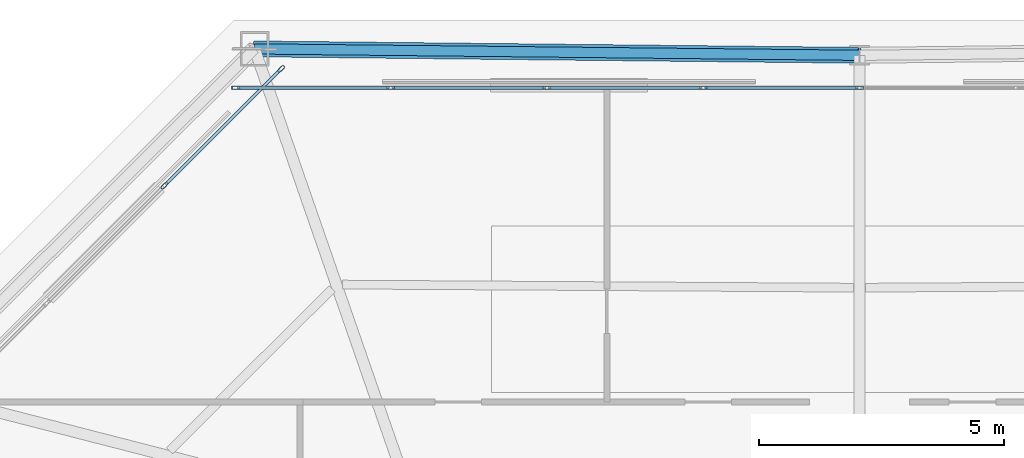
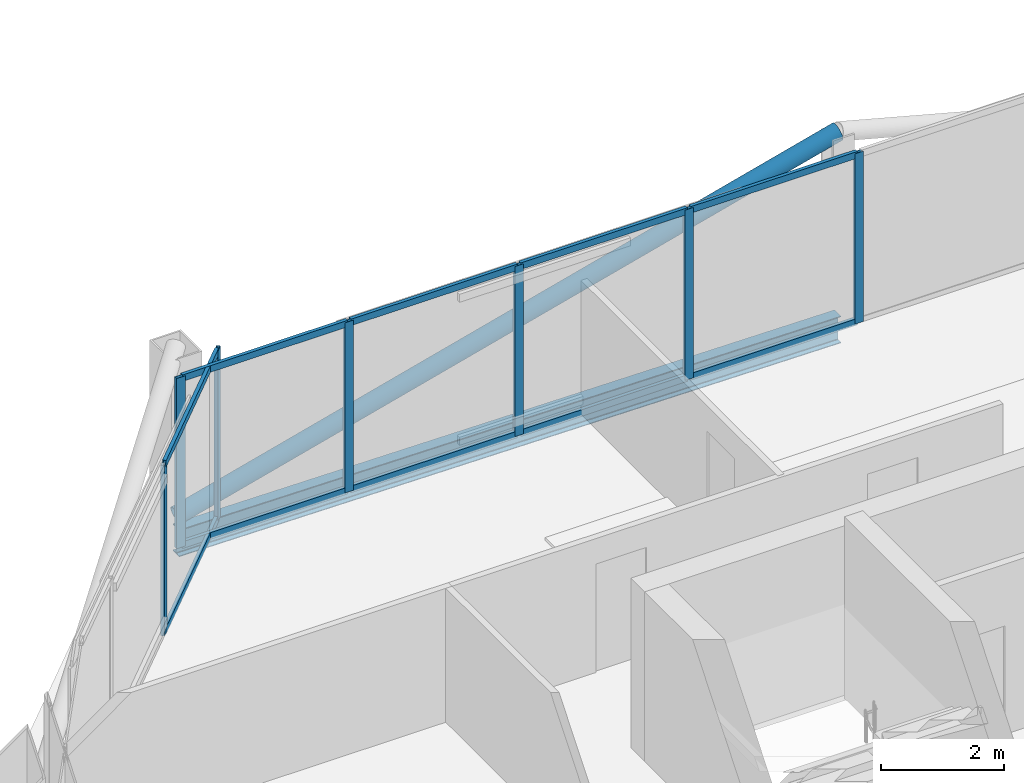
# One storey, part 20 of 26: 18 members, 1 beam, 2 elements without a shape of their own.
"""IFC4 building model written with IfcOpenShell, lengths in metres."""

from ifc_helpers import new_model, si_unit, direction, frame, origin, origin_2d, place, context, subcontext, project, spatial, hollow_rectangle, hollow_circle, i_section, extrude, material, layer, layer_set, material_profile, profile_set, type_object, element, aggregate, save


model = new_model("IFC4")

# Units and contexts
model_context = context("Model", 3, precision=1e-05, world=origin(), true_north=direction((0.0, 1.0)))
body_context = subcontext(model_context, "Body", "Model", "MODEL_VIEW")
ifc_project = project(units=[si_unit("LENGTHUNIT", "METRE"), si_unit("AREAUNIT", "SQUARE_METRE"), si_unit("VOLUMEUNIT", "CUBIC_METRE"), si_unit("PLANEANGLEUNIT", "RADIAN"), si_unit("MASSUNIT", "GRAM", prefix="KILO")], contexts=[model_context])

# Site, building, storey
site_placement = place(None, origin())
site = spatial("IfcSite", under=ifc_project, at=site_placement, CompositionType="ELEMENT")
building_placement = place(site_placement, origin())
building = spatial("IfcBuilding", under=site, at=building_placement, Name="Caelvoria Tower", CompositionType="ELEMENT")
storey_placement = place(building_placement, frame((0.0, 0.0, 239.39990234375)))
storey = spatial("IfcBuildingStorey", under=building, at=storey_placement, Name="L63", CompositionType="ELEMENT", Elevation=239.39990234375)

# Curtain wall, members
ifc_material_1 = material(Name="Anodised Bronze Aluminium and Low-E Glass", Category="aluminium")
ifc_layer = layer(ifc_material_1, 0.175048828125, Name="Anodised Bronze Aluminium and Low-E Glass")
ifc_layer_set = layer_set([ifc_layer], Name="CW System 4 High-Zone Tapered Crystal Facade - Anodised Bronze Aluminium and Low-E Glass")
curtain_wall_type = type_object("IfcCurtainWallType", Name="CW System 4 High-Zone Tapered Crystal Facade", PredefinedType="NOTDEFINED", material=ifc_layer_set)
curtain_wall_1_placement = place(storey_placement, origin())
curtain_wall_1 = element("IfcCurtainWall", 1, at=curtain_wall_1_placement, inside=storey, type_object=curtain_wall_type, Name="CW-04 Curtain Wall L63-E4", PredefinedType="NOTDEFINED")
ifc_material_2 = material(Name="Anodised Bronze Architectural Aluminium", Category="aluminium")
ifc_material_profile_1 = material_profile(ifc_material_2, hollow_rectangle(XDim=0.06494140625, YDim=0.159912109375, WallThickness=0.00390625, at=origin_2d()), Name="Anodised Bronze Architectural Aluminium")
ifc_profile_set_1 = profile_set([ifc_material_profile_1], Name="CW_MULL_65X160 - Anodised Bronze Architectural Aluminium")
member_type_1 = type_object("IfcMemberType", Name="Curtain Wall Mullion 65x160 Bronze Aluminium", PredefinedType="MULLION", material=ifc_profile_set_1)
member_1_placement = place(storey_placement, frame((46.0, 48.820068359375, 0.0), z_axis=(0.0, 0.0, 1.0), x_axis=(0.0, -1.0, 0.0)))
member_1 = element("IfcMember", 2, at=member_1_placement, type_object=member_type_1, Name="CW-04 mullion 5", PredefinedType="MULLION", context=body_context, shape_type="SweptSolid", body=[
    extrude(hollow_rectangle(XDim=0.06494140625, YDim=0.159912109375, WallThickness=0.00390625, at=origin_2d()), origin(), (0.0, 0.0, 1.0), 3.375),
])
member_2_placement = place(storey_placement, frame((42.8125, 48.820068359375, 0.0), z_axis=(0.0, 0.0, 1.0), x_axis=(0.0, -1.0, 0.0)))
member_2 = element("IfcMember", 3, at=member_2_placement, type_object=member_type_1, Name="CW-04 mullion 6", PredefinedType="MULLION", context=body_context, shape_type="SweptSolid", body=[
    extrude(hollow_rectangle(XDim=0.06494140625, YDim=0.159912109375, WallThickness=0.00390625, at=origin_2d()), origin(), (0.0, 0.0, 1.0), 3.375),
])
member_3_placement = place(storey_placement, frame((39.625, 48.820068359375, 0.0), z_axis=(0.0, 0.0, 1.0), x_axis=(0.0, -1.0, 0.0)))
member_3 = element("IfcMember", 4, at=member_3_placement, type_object=member_type_1, Name="CW-04 mullion 7", PredefinedType="MULLION", context=body_context, shape_type="SweptSolid", body=[
    extrude(hollow_rectangle(XDim=0.06494140625, YDim=0.159912109375, WallThickness=0.00390625, at=origin_2d()), origin(), (0.0, 0.0, 1.0), 3.375),
])
member_4_placement = place(storey_placement, frame((36.4375, 48.820068359375, 0.0), z_axis=(0.0, 0.0, 1.0), x_axis=(0.0, -1.0, 0.0)))
member_4 = element("IfcMember", 5, at=member_4_placement, type_object=member_type_1, Name="CW-04 mullion 8", PredefinedType="MULLION", context=body_context, shape_type="SweptSolid", body=[
    extrude(hollow_rectangle(XDim=0.06494140625, YDim=0.159912109375, WallThickness=0.00390625, at=origin_2d()), origin(), (0.0, 0.0, 1.0), 3.375),
])
member_5_placement = place(storey_placement, frame((33.282470703125, 48.820068359375, 0.0), z_axis=(0.0, 0.0, 1.0), x_axis=(0.0, -1.0, 0.0)))
member_5 = element("IfcMember", 6, at=member_5_placement, type_object=member_type_1, Name="CW-04 mullion 9", PredefinedType="MULLION", context=body_context, shape_type="SweptSolid", body=[
    extrude(hollow_rectangle(XDim=0.06494140625, YDim=0.159912109375, WallThickness=0.00390625, at=origin_2d()), origin(), (0.0, 0.0, 1.0), 3.375),
])

curtain_wall_2_placement = place(storey_placement, origin())
curtain_wall_2 = element("IfcCurtainWall", 7, at=curtain_wall_2_placement, inside=storey, type_object=curtain_wall_type, Name="CW-04 Curtain Wall L63-E5", PredefinedType="NOTDEFINED")
member_6_placement = place(storey_placement, frame((34.202880859375, 49.201171875, 0.0), z_axis=(0.0, 0.0, 1.0), x_axis=(0.707106781187, -0.707106781187, 0.0)))
member_6 = element("IfcMember", 8, at=member_6_placement, type_object=member_type_1, Name="CW-04 mullion 1", PredefinedType="MULLION", context=body_context, shape_type="SweptSolid", body=[
    extrude(hollow_rectangle(XDim=0.06494140625, YDim=0.159912109375, WallThickness=0.00390625, at=origin_2d()), origin(), (0.0, 0.0, 1.0), 3.375),
])
member_7_placement = place(storey_placement, frame((31.82568359375, 46.82421875, 0.0), z_axis=(0.0, 0.0, 1.0), x_axis=(0.707106781187, -0.707106781187, 0.0)))
member_7 = element("IfcMember", 9, at=member_7_placement, type_object=member_type_1, Name="CW-04 mullion 2", PredefinedType="MULLION", context=body_context, shape_type="SweptSolid", body=[
    extrude(hollow_rectangle(XDim=0.06494140625, YDim=0.159912109375, WallThickness=0.00390625, at=origin_2d()), origin(), (0.0, 0.0, 1.0), 3.375),
])

# Member
ifc_material_profile_2 = material_profile(ifc_material_2, hollow_rectangle(XDim=0.06494140625, YDim=0.1298828125, WallThickness=0.00341796875, at=origin_2d()), Name="Anodised Bronze Architectural Aluminium")
ifc_profile_set_2 = profile_set([ifc_material_profile_2], Name="CW_TRAN_65X130 - Anodised Bronze Architectural Aluminium")
member_type_2 = type_object("IfcMemberType", Name="Curtain Wall Transom 65x130 Bronze Aluminium", PredefinedType="USERDEFINED", material=ifc_profile_set_2)
member_8_placement = place(storey_placement, frame((45.967529296875, 48.820068359375, 0.03271484375), z_axis=(-1.0, 0.0, 0.0), x_axis=(0.0, -1.0, 0.0)))
member_8 = element("IfcMember", 10, at=member_8_placement, type_object=member_type_2, Name="CW-04 transom 5.1", ObjectType="TRANSOM", PredefinedType="USERDEFINED", context=body_context, shape_type="SweptSolid", body=[
    extrude(hollow_rectangle(XDim=0.06494140625, YDim=0.1298828125, WallThickness=0.00341796875, at=origin_2d()), origin(), (0.0, 0.0, 1.0), 3.12255859375),
])

member_9_placement = place(storey_placement, frame((45.967529296875, 48.820068359375, 3.342529296875), z_axis=(-1.0, 0.0, 0.0), x_axis=(0.0, -1.0, 0.0)))
member_9 = element("IfcMember", 11, at=member_9_placement, type_object=member_type_2, Name="CW-04 transom 5.2", ObjectType="TRANSOM", PredefinedType="USERDEFINED", context=body_context, shape_type="SweptSolid", body=[
    extrude(hollow_rectangle(XDim=0.06494140625, YDim=0.1298828125, WallThickness=0.00341796875, at=origin_2d()), origin(), (0.0, 0.0, 1.0), 3.12255859375),
])

member_10_placement = place(storey_placement, frame((42.780029296875, 48.820068359375, 0.03271484375), z_axis=(-1.0, 0.0, 0.0), x_axis=(0.0, -1.0, 0.0)))
member_10 = element("IfcMember", 12, at=member_10_placement, type_object=member_type_2, Name="CW-04 transom 6.1", ObjectType="TRANSOM", PredefinedType="USERDEFINED", context=body_context, shape_type="SweptSolid", body=[
    extrude(hollow_rectangle(XDim=0.06494140625, YDim=0.1298828125, WallThickness=0.00341796875, at=origin_2d()), origin(), (0.0, 0.0, 1.0), 3.12255859375),
])

member_11_placement = place(storey_placement, frame((42.780029296875, 48.820068359375, 3.342529296875), z_axis=(-1.0, 0.0, 0.0), x_axis=(0.0, -1.0, 0.0)))
member_11 = element("IfcMember", 13, at=member_11_placement, type_object=member_type_2, Name="CW-04 transom 6.2", ObjectType="TRANSOM", PredefinedType="USERDEFINED", context=body_context, shape_type="SweptSolid", body=[
    extrude(hollow_rectangle(XDim=0.06494140625, YDim=0.1298828125, WallThickness=0.00341796875, at=origin_2d()), origin(), (0.0, 0.0, 1.0), 3.12255859375),
])

member_12_placement = place(storey_placement, frame((39.592529296875, 48.820068359375, 0.03271484375), z_axis=(-1.0, 0.0, 0.0), x_axis=(0.0, -1.0, 0.0)))
member_12 = element("IfcMember", 14, at=member_12_placement, type_object=member_type_2, Name="CW-04 transom 7.1", ObjectType="TRANSOM", PredefinedType="USERDEFINED", context=body_context, shape_type="SweptSolid", body=[
    extrude(hollow_rectangle(XDim=0.06494140625, YDim=0.1298828125, WallThickness=0.00341796875, at=origin_2d()), origin(), (0.0, 0.0, 1.0), 3.12255859375),
])

member_13_placement = place(storey_placement, frame((39.592529296875, 48.820068359375, 3.342529296875), z_axis=(-1.0, 0.0, 0.0), x_axis=(0.0, -1.0, 0.0)))
member_13 = element("IfcMember", 15, at=member_13_placement, type_object=member_type_2, Name="CW-04 transom 7.2", ObjectType="TRANSOM", PredefinedType="USERDEFINED", context=body_context, shape_type="SweptSolid", body=[
    extrude(hollow_rectangle(XDim=0.06494140625, YDim=0.1298828125, WallThickness=0.00341796875, at=origin_2d()), origin(), (0.0, 0.0, 1.0), 3.12255859375),
])

member_14_placement = place(storey_placement, frame((36.405029296875, 48.820068359375, 0.03271484375), z_axis=(-1.0, 0.0, 0.0), x_axis=(0.0, -1.0, 0.0)))
member_14 = element("IfcMember", 16, at=member_14_placement, type_object=member_type_2, Name="CW-04 transom 8.1", ObjectType="TRANSOM", PredefinedType="USERDEFINED", context=body_context, shape_type="SweptSolid", body=[
    extrude(hollow_rectangle(XDim=0.06494140625, YDim=0.1298828125, WallThickness=0.00341796875, at=origin_2d()), origin(), (0.0, 0.0, 1.0), 3.090087890625),
])

member_15_placement = place(storey_placement, frame((36.405029296875, 48.820068359375, 3.342529296875), z_axis=(-1.0, 0.0, 0.0), x_axis=(0.0, -1.0, 0.0)))
member_15 = element("IfcMember", 17, at=member_15_placement, type_object=member_type_2, Name="CW-04 transom 8.2", ObjectType="TRANSOM", PredefinedType="USERDEFINED", context=body_context, shape_type="SweptSolid", body=[
    extrude(hollow_rectangle(XDim=0.06494140625, YDim=0.1298828125, WallThickness=0.00341796875, at=origin_2d()), origin(), (0.0, 0.0, 1.0), 3.090087890625),
])

aggregate(curtain_wall_1, [member_1, member_2, member_3, member_4, member_5, member_8, member_9, member_10, member_11, member_12, member_13, member_14, member_15])

member_16_placement = place(storey_placement, frame((34.179931640625, 49.17822265625, 0.03271484375), z_axis=(-0.707106781187, -0.707106781187, 0.0), x_axis=(0.707106781187, -0.707106781187, 0.0)))
member_16 = element("IfcMember", 18, at=member_16_placement, type_object=member_type_2, Name="CW-04 transom 1.1", ObjectType="TRANSOM", PredefinedType="USERDEFINED", context=body_context, shape_type="SweptSolid", body=[
    extrude(hollow_rectangle(XDim=0.06494140625, YDim=0.1298828125, WallThickness=0.00341796875, at=origin_2d()), origin(), (0.0, 0.0, 1.0), 3.296630859375),
])

member_17_placement = place(storey_placement, frame((34.179931640625, 49.17822265625, 3.342529296875), z_axis=(-0.707106781187, -0.707106781187, 0.0), x_axis=(0.707106781187, -0.707106781187, 0.0)))
member_17 = element("IfcMember", 19, at=member_17_placement, type_object=member_type_2, Name="CW-04 transom 1.2", ObjectType="TRANSOM", PredefinedType="USERDEFINED", context=body_context, shape_type="SweptSolid", body=[
    extrude(hollow_rectangle(XDim=0.06494140625, YDim=0.1298828125, WallThickness=0.00341796875, at=origin_2d()), origin(), (0.0, 0.0, 1.0), 3.296630859375),
])

aggregate(curtain_wall_2, [member_6, member_7, member_16, member_17])

ifc_material_3 = material(Name="Structural Steel ASTM A572 Gr.50", Category="steel")
ifc_material_profile_3 = material_profile(ifc_material_3, hollow_circle(Radius=0.162109375, WallThickness=0.0126953125, at=origin_2d()), Name="Structural Steel ASTM A572 Gr.50")
ifc_profile_set_3 = profile_set([ifc_material_profile_3], Name="CHS324X12.7 - Structural Steel ASTM A572 Gr.50")
member_type_3 = type_object("IfcMemberType", Name="Summit Perimeter Mega Brace CHS324X12.7", PredefinedType="BRACE", material=ifc_profile_set_3)
member_18_placement = place(storey_placement, frame((33.6630859375, 49.6103515625, 0.0), z_axis=(0.964507270463, -0.01019248956, 0.263859505004), x_axis=(0.010566971141, 0.999944168002, 0.0)))
element("IfcMember", 20, at=member_18_placement, inside=storey, type_object=member_type_3, Name="Perimeter Cardinal Mega Brace L63 NB", PredefinedType="BRACE", context=body_context, shape_type="SweptSolid", body=[
    extrude(hollow_circle(Radius=0.162109375, WallThickness=0.0126953125, at=origin_2d()), origin(), (0.0, 0.0, 1.0), 12.791015625),
])

# Beam
ifc_material_4 = material(Name="Structural Steel ASTM A992 Gr.50", Category="steel")
ifc_material_profile_4 = material_profile(ifc_material_4, i_section(OverallWidth=0.208984375, OverallDepth=0.532958984375, WebThickness=0.01025390625, FlangeThickness=0.015625, FilletRadius=0.01611328125, at=origin_2d()), Name="Structural Steel ASTM A992 Gr.50")
ifc_profile_set_4 = profile_set([ifc_material_profile_4], Name="W530X92 - Structural Steel ASTM A992 Gr.50")
beam_type = type_object("IfcBeamType", Name="Upper Zone Spandrel W530X92", PredefinedType="BEAM", material=ifc_profile_set_4)
beam_placement = place(storey_placement, frame((46.0, 49.47998046875, -0.491455078125), z_axis=(-0.999944168002, 0.010566971141, 0.0), x_axis=(-0.010566971141, -0.999944168002, 0.0)))
element("IfcBeam", 21, at=beam_placement, inside=storey, type_object=beam_type, Name="Perimeter Spandrel Girder L63-07", PredefinedType="BEAM", context=body_context, shape_type="SweptSolid", body=[
    extrude(i_section(OverallWidth=0.208984375, OverallDepth=0.532958984375, WebThickness=0.01025390625, FlangeThickness=0.015625, FilletRadius=0.01611328125, at=origin_2d()), origin(), (0.0, 0.0, 1.0), 12.337646484375),
])

save(model, "model.ifc")
